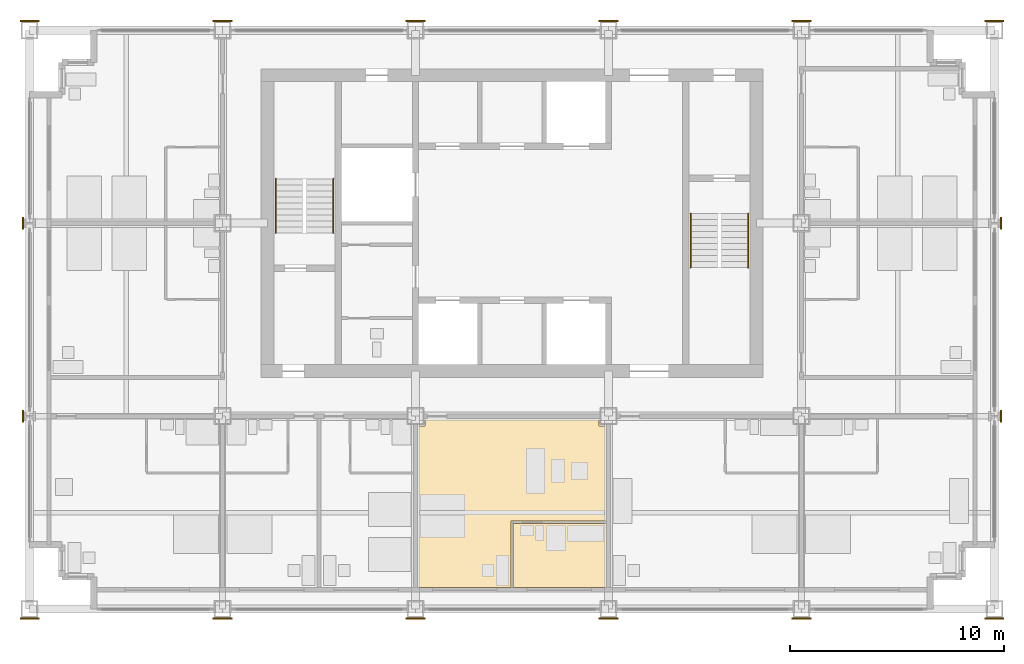
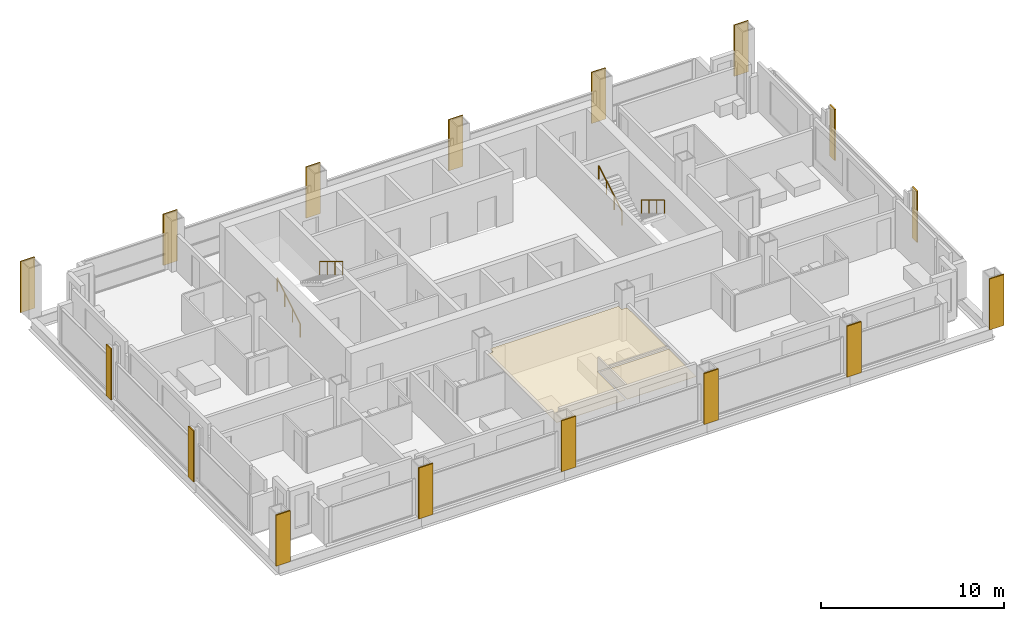
# One storey, part 11 of 13: 18 coverings, 4 railings.
"""IFC4 building model written with IfcOpenShell, lengths in metres."""

from ifc_helpers import new_model, si_unit, direction, frame, origin, origin_2d, place, context, subcontext, project, spatial, polyline, rectangle, circle, outline, extrude, material, layer, layer_set, type_object, element, save


model = new_model("IFC4")

# Units and contexts
model_context = context("Model", 3, precision=1e-05, world=origin(), true_north=direction((0.0, 1.0)))
body_context = subcontext(model_context, "Body", "Model", "MODEL_VIEW")
ifc_project = project(units=[si_unit("LENGTHUNIT", "METRE"), si_unit("AREAUNIT", "SQUARE_METRE"), si_unit("VOLUMEUNIT", "CUBIC_METRE"), si_unit("PLANEANGLEUNIT", "RADIAN"), si_unit("MASSUNIT", "GRAM", prefix="KILO")], contexts=[model_context])

# Site, building, storey
site_placement = place(None, origin())
site = spatial("IfcSite", under=ifc_project, at=site_placement, CompositionType="ELEMENT")
building_placement = place(site_placement, origin())
building = spatial("IfcBuilding", under=site, at=building_placement, Name="Loomwork Tower", CompositionType="ELEMENT")
storey_placement = place(building_placement, frame((0.0, 0.0, 187.60009765625)))
storey = spatial("IfcBuildingStorey", under=building, at=storey_placement, Name="L51", CompositionType="ELEMENT", Elevation=187.60009765625)

# Railings
ifc_material_1 = material(Name="Stainless steel handrail", Category="steel")
railing_type = type_object("IfcRailingType", Name="Handrail 900", PredefinedType="HANDRAIL", material=ifc_material_1)
railing_1_placement = place(storey_placement, frame((11.485107421875, 17.550048828125, 0.169921875)))
element("IfcRailing", 1, at=railing_1_placement, inside=storey, type_object=railing_type, Name="Stair A handrail flight 1 L51", PredefinedType="HANDRAIL", context=body_context, shape_type="SweptSolid", body=[
    extrude(circle(Radius=0.02392578125, at=origin_2d()), frame((0.0, 0.0, 0.8759765625), z_axis=(0.0, 0.85478489116, 0.518982456201), x_axis=(-1.0, 0.0, 0.0)), (0.0, 0.0, 1.0), 2.9482421875),
    extrude(circle(Radius=0.02099609375, at=origin_2d()), origin(), (0.0, 0.0, 1.0), 0.851806640625),
    extrude(circle(Radius=0.02099609375, at=origin_2d()), frame((0.0, 0.840087890625, 0.510009765625)), (0.0, 0.0, 1.0), 0.851806640625),
    extrude(circle(Radius=0.02099609375, at=origin_2d()), frame((0.0, 1.679931640625, 1.02001953125)), (0.0, 0.0, 1.0), 0.851806640625),
    extrude(circle(Radius=0.02099609375, at=origin_2d()), frame((0.0, 2.52001953125, 1.530029296875)), (0.0, 0.0, 1.0), 0.851806640625),
])
for number, where, name in (
    (2, (14.1650390625, 20.070068359375, 1.869873046875), "Stair A handrail flight 2 L51"),
    (3, (33.514892578125, 18.449951171875, 0.169921875), "Stair B handrail flight 1 L51"),
):
    element("IfcRailing", number, at=place(storey_placement, frame(where)), inside=storey, type_object=railing_type, Name=name, PredefinedType="HANDRAIL", context=body_context, shape_type="SweptSolid", body=[
        extrude(circle(Radius=0.02392578125, at=origin_2d()), frame((0.0, 0.0, 0.8759765625), z_axis=(0.0, -0.85478489116, 0.518982456201), x_axis=(1.0, 0.0, 0.0)), (0.0, 0.0, 1.0), 2.9482421875),
        extrude(circle(Radius=0.02099609375, at=origin_2d()), origin(), (0.0, 0.0, 1.0), 0.851806640625),
        extrude(circle(Radius=0.02099609375, at=origin_2d()), frame((0.0, -0.840087890625, 0.510009765625)), (0.0, 0.0, 1.0), 0.851806640625),
        extrude(circle(Radius=0.02099609375, at=origin_2d()), frame((0.0, -1.679931640625, 1.02001953125)), (0.0, 0.0, 1.0), 0.851806640625),
        extrude(circle(Radius=0.02099609375, at=origin_2d()), frame((0.0, -2.52001953125, 1.530029296875)), (0.0, 0.0, 1.0), 0.851806640625),
    ])
railing_2_placement = place(storey_placement, frame((30.8349609375, 15.929931640625, 1.869873046875)))
element("IfcRailing", 4, at=railing_2_placement, inside=storey, type_object=railing_type, Name="Stair B handrail flight 2 L51", PredefinedType="HANDRAIL", context=body_context, shape_type="SweptSolid", body=[
    extrude(circle(Radius=0.02392578125, at=origin_2d()), frame((0.0, 0.0, 0.8759765625), z_axis=(0.0, 0.85478489116, 0.518982456201), x_axis=(-1.0, 0.0, 0.0)), (0.0, 0.0, 1.0), 2.9482421875),
    extrude(circle(Radius=0.02099609375, at=origin_2d()), origin(), (0.0, 0.0, 1.0), 0.851806640625),
    extrude(circle(Radius=0.02099609375, at=origin_2d()), frame((0.0, 0.840087890625, 0.510009765625)), (0.0, 0.0, 1.0), 0.851806640625),
    extrude(circle(Radius=0.02099609375, at=origin_2d()), frame((0.0, 1.679931640625, 1.02001953125)), (0.0, 0.0, 1.0), 0.851806640625),
    extrude(circle(Radius=0.02099609375, at=origin_2d()), frame((0.0, 2.52001953125, 1.530029296875)), (0.0, 0.0, 1.0), 0.851806640625),
])

# Coverings
ifc_material_2 = material(Name="Limestone", Category="masonry")
ifc_layer_1 = layer(ifc_material_2, 0.080078125)
ifc_layer_set_1 = layer_set([ifc_layer_1], Name="Limestone pier facing 80")
covering_type_1 = type_object("IfcCoveringType", Name="Limestone pier facing 80", PredefinedType="CLADDING", material=ifc_layer_set_1)
covering_1_placement = place(storey_placement, frame((0.0, -0.43994140625, 0.0), z_axis=(0.0, 0.0, 1.0), x_axis=(1.0, 0.0, 0.0)))
element("IfcCovering", 5, at=covering_1_placement, inside=storey, type_object=covering_type_1, Name="Pier facing D/2 L51", PredefinedType="CLADDING", context=body_context, shape_type="SweptSolid", body=[
    extrude(rectangle(XDim=0.89990234375, YDim=0.080078125, at=origin_2d()), origin(), (0.0, 0.0, 1.0), 3.39990234375),
])
for number, where, z_axis, x_axis, name in (
    (6, (-0.314208984375, 9.0, 0.0), (0.0, 0.0, 1.0), (1.0, 0.0, 0.0), "Pier facing E/2 L51"),
    (7, (-0.314208984375, 18.0, 0.0), (0.0, 0.0, 1.0), (1.0, 0.0, 0.0), "Pier facing F/2 L51"),
):
    element("IfcCovering", number, at=place(storey_placement, frame(where, z_axis=z_axis, x_axis=x_axis)), inside=storey, type_object=covering_type_1, Name=name, PredefinedType="CLADDING", context=body_context, shape_type="SweptSolid", body=[
        extrude(rectangle(XDim=0.080078125, YDim=0.549560546875, at=origin_2d()), origin(), (0.0, 0.0, 1.0), 3.39990234375),
    ])
for number, where, z_axis, x_axis, name in (
    (8, (0.0, 27.43994140625, 0.0), (0.0, 0.0, 1.0), (1.0, 0.0, 0.0), "Pier facing G/2 L51"),
    (9, (9.0, -0.43994140625, 0.0), (0.0, 0.0, 1.0), (1.0, 0.0, 0.0), "Pier facing D/3 L51"),
    (10, (9.0, 27.43994140625, 0.0), (0.0, 0.0, 1.0), (1.0, 0.0, 0.0), "Pier facing G/3 L51"),
    (11, (18.0, -0.43994140625, 0.0), (0.0, 0.0, 1.0), (1.0, 0.0, 0.0), "Pier facing D/4 L51"),
    (12, (18.0, 27.43994140625, 0.0), (0.0, 0.0, 1.0), (1.0, 0.0, 0.0), "Pier facing G/4 L51"),
    (13, (27.0, -0.43994140625, 0.0), (0.0, 0.0, 1.0), (1.0, 0.0, 0.0), "Pier facing D/5 L51"),
    (14, (27.0, 27.43994140625, 0.0), (0.0, 0.0, 1.0), (1.0, 0.0, 0.0), "Pier facing G/5 L51"),
    (15, (36.0, -0.43994140625, 0.0), (0.0, 0.0, 1.0), (1.0, 0.0, 0.0), "Pier facing D/6 L51"),
    (16, (36.0, 27.43994140625, 0.0), (0.0, 0.0, 1.0), (1.0, 0.0, 0.0), "Pier facing G/6 L51"),
    (17, (45.0, -0.43994140625, 0.0), (0.0, 0.0, 1.0), (1.0, 0.0, 0.0), "Pier facing D/7 L51"),
):
    element("IfcCovering", number, at=place(storey_placement, frame(where, z_axis=z_axis, x_axis=x_axis)), inside=storey, type_object=covering_type_1, Name=name, PredefinedType="CLADDING", context=body_context, shape_type="SweptSolid", body=[
        extrude(rectangle(XDim=0.89990234375, YDim=0.080078125, at=origin_2d()), origin(), (0.0, 0.0, 1.0), 3.39990234375),
    ])
for number, where, z_axis, x_axis, name in (
    (18, (45.314208984375, 9.0, 0.0), (0.0, 0.0, 1.0), (1.0, 0.0, 0.0), "Pier facing E/7 L51"),
    (19, (45.314208984375, 18.0, 0.0), (0.0, 0.0, 1.0), (1.0, 0.0, 0.0), "Pier facing F/7 L51"),
):
    element("IfcCovering", number, at=place(storey_placement, frame(where, z_axis=z_axis, x_axis=x_axis)), inside=storey, type_object=covering_type_1, Name=name, PredefinedType="CLADDING", context=body_context, shape_type="SweptSolid", body=[
        extrude(rectangle(XDim=0.080078125, YDim=0.549560546875, at=origin_2d()), origin(), (0.0, 0.0, 1.0), 3.39990234375),
    ])
covering_2_placement = place(storey_placement, frame((45.0, 27.43994140625, 0.0), z_axis=(0.0, 0.0, 1.0), x_axis=(1.0, 0.0, 0.0)))
element("IfcCovering", 20, at=covering_2_placement, inside=storey, type_object=covering_type_1, Name="Pier facing G/7 L51", PredefinedType="CLADDING", context=body_context, shape_type="SweptSolid", body=[
    extrude(rectangle(XDim=0.89990234375, YDim=0.080078125, at=origin_2d()), origin(), (0.0, 0.0, 1.0), 3.39990234375),
])
ifc_material_3 = material(Name="Mineral fibre acoustic tile on suspension grid")
ifc_layer_2 = layer(ifc_material_3, 0.02490234375)
ifc_layer_set_2 = layer_set([ifc_layer_2], Name="Suspended acoustic ceiling")
covering_type_2 = type_object("IfcCoveringType", Name="Suspended acoustic ceiling", PredefinedType="CEILING", material=ifc_layer_set_2)
covering_3_placement = place(storey_placement, frame((0.0, 0.0, 2.1748046875)))
element("IfcCovering", 21, at=covering_3_placement, inside=storey, type_object=covering_type_2, Name="Ceiling Spa bathroom L51", PredefinedType="CEILING", context=body_context, shape_type="SweptSolid", body=[
    extrude(outline(polyline([(26.89990234375, 4.0), (26.89990234375, 1.0), (22.550048828125, 1.0), (22.550048828125, 4.0), (26.89990234375, 4.0)])), origin(), (0.0, 0.0, 1.0), 0.025146484375),
])
covering_4_placement = place(storey_placement, frame((0.0, 0.0, 2.1748046875)))
element("IfcCovering", 22, at=covering_4_placement, inside=storey, type_object=covering_type_2, Name="Ceiling Spa suite L51", PredefinedType="CEILING", context=body_context, shape_type="SweptSolid", body=[
    extrude(outline(polyline([(26.550048828125, 8.89990234375), (26.550048828125, 8.550048828125), (26.89990234375, 8.550048828125), (26.89990234375, 4.10009765625), (22.449951171875, 4.10009765625), (22.449951171875, 1.0), (18.10009765625, 1.0), (18.10009765625, 8.550048828125), (18.449951171875, 8.550048828125), (18.449951171875, 8.89990234375), (26.550048828125, 8.89990234375)])), origin(), (0.0, 0.0, 1.0), 0.025146484375),
])

save(model, "model.ifc")
